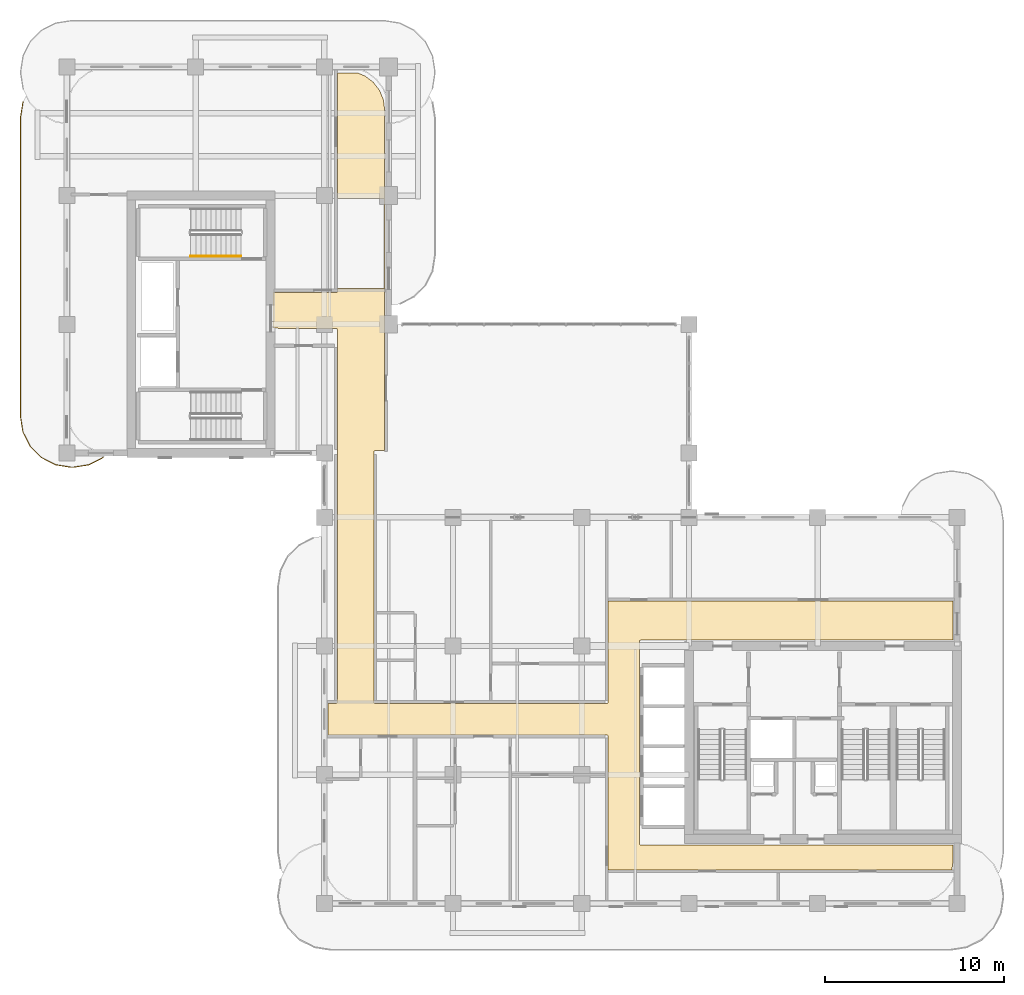
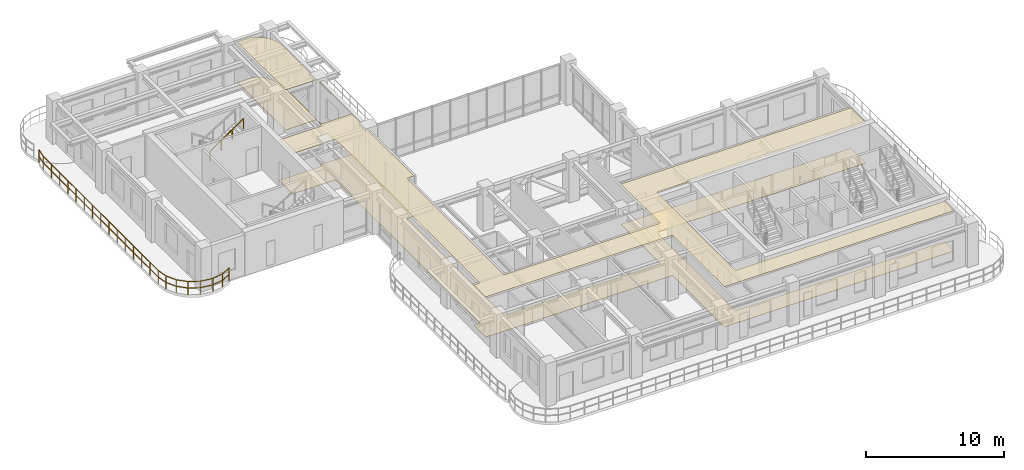
# One storey, part 18 of 19: 2 coverings, 2 railings.
"""IFC4 building model written with IfcOpenShell, lengths in metres."""

from ifc_helpers import new_model, si_unit, derived_unit, direction, frame, origin, origin_2d, place, context, subcontext, project, spatial, polyline, rectangle, outline, extrude, material, layer, layer_set, type_object, element, save


model = new_model("IFC4")

# Units and contexts
model_context = context("Model", 3, precision=1e-05, world=origin(), true_north=direction((0.0, 1.0)))
body_context = subcontext(model_context, "Body", "Model", "MODEL_VIEW")
ifc_project = project(units=[si_unit("LENGTHUNIT", "METRE"), si_unit("AREAUNIT", "SQUARE_METRE"), si_unit("VOLUMEUNIT", "CUBIC_METRE"), si_unit("PLANEANGLEUNIT", "RADIAN"), si_unit("MASSUNIT", "GRAM", prefix="KILO"), si_unit("THERMODYNAMICTEMPERATUREUNIT", "KELVIN"), si_unit("POWERUNIT", "WATT"), derived_unit("THERMALTRANSMITTANCEUNIT", [(si_unit("POWERUNIT", "WATT"), 1), (si_unit("AREAUNIT", "SQUARE_METRE"), -1), (si_unit("THERMODYNAMICTEMPERATUREUNIT", "KELVIN"), -1)])], contexts=[model_context])

# Site, building, storey
site_placement = place(None, origin())
site = spatial("IfcSite", under=ifc_project, at=site_placement, CompositionType="ELEMENT")
building_placement = place(site_placement, origin())
building = spatial("IfcBuilding", under=site, at=building_placement, Name="Zahravan Archway Hotel and Residences", CompositionType="ELEMENT")
storey_placement = place(building_placement, frame((0.0, 0.0, 201.89990234375)))
storey = spatial("IfcBuildingStorey", under=building, at=storey_placement, Name="L50", CompositionType="ELEMENT", Elevation=201.89990234375)

# Coverings
ifc_material_1 = material(Name="Perforated Acoustic Gypsum Ceiling")
ifc_layer_1 = layer(ifc_material_1, 0.02490234375, Name="Perforated Acoustic Gypsum Ceiling")
ifc_layer_set_1 = layer_set([ifc_layer_1], Name="Perforated Acoustic Gypsum Ceiling")
covering_type_1 = type_object("IfcCoveringType", Name="COV-CEIL-ACST", PredefinedType="CEILING", material=ifc_layer_set_1)
covering_1_placement = place(storey_placement, frame((0.0, 0.0, 3.5751953125)))
element("IfcCovering", 1, at=covering_1_placement, inside=storey, type_object=covering_type_1, Name="L50 Acoustic Corridor Ceiling", PredefinedType="CEILING", context=body_context, shape_type="SweptSolid", body=[
    extrude(outline(polyline([(32.09228515625, 14.7294921875), (32.04931640625, 14.7119140625), (32.0234375, 14.673095703125), (32.02001953125, 3.35009765625), (32.033447265625, 3.3056640625), (32.0693359375, 3.276123046875), (49.580078125, 3.27001953125), (49.580078125, 2.414306640625), (49.509521484375, 1.8798828125), (30.280029296875, 1.8798828125), (30.280029296875, 9.35009765625), (30.2666015625, 9.394287109375), (30.230712890625, 9.423828125), (14.6201171875, 9.429931640625), (14.6201171875, 11.18994140625), (15.050048828125, 11.18994140625), (15.094482421875, 11.20361328125), (15.123779296875, 11.239501953125), (15.1298828125, 32.10009765625), (15.116455078125, 32.144287109375), (15.08056640625, 32.173828125), (11.530029296875, 32.179931640625), (11.530029296875, 34.169921875), (15.050048828125, 34.169921875), (15.094482421875, 34.18359375), (15.123779296875, 34.219482421875), (15.1298828125, 34.39990234375), (17.719970703125, 34.39990234375), (17.75, 34.427001953125), (17.75, 39.419921875), (17.722900390625, 39.449951171875), (15.1298828125, 39.449951171875), (15.1298828125, 46.469970703125), (16.24560546875, 46.469970703125), (16.689208984375, 46.286376953125), (17.14013671875, 45.940185546875), (17.486328125, 45.489013671875), (17.703857421875, 44.9638671875), (17.77001953125, 44.46142578125), (17.77001953125, 25.330078125), (17.25, 25.330078125), (17.20556640625, 25.31640625), (17.176025390625, 25.280517578125), (17.169921875, 11.27001953125), (17.18359375, 11.2255859375), (17.219482421875, 11.196044921875), (30.199951171875, 11.18994140625), (30.244384765625, 11.20361328125), (30.27392578125, 11.239501953125), (30.280029296875, 16.919921875), (49.580078125, 16.919921875), (49.580078125, 14.72998046875), (32.10009765625, 14.72998046875), (32.09228515625, 14.7294921875)])), origin(), (0.0, 0.0, 1.0), 0.02490234375),
])
ifc_material_2 = material(Name="Honed Margalla Limestone & Mortar Bed", Category="masonry")
ifc_layer_2 = layer(ifc_material_2, 0.030029296875, Name="Honed Margalla Limestone & Mortar Bed", Category="masonry")
ifc_layer_set_2 = layer_set([ifc_layer_2], Name="Honed Margalla Limestone & Mortar Bed")
covering_type_2 = type_object("IfcCoveringType", Name="COV-FLR-STONE", PredefinedType="FLOORING", material=ifc_layer_set_2)
covering_2_placement = place(storey_placement, origin())
element("IfcCovering", 2, at=covering_2_placement, inside=storey, type_object=covering_type_2, Name="L50 Circulation Floor Finish", PredefinedType="FLOORING", context=body_context, shape_type="SweptSolid", body=[
    extrude(outline(polyline([(32.09228515625, 14.7294921875), (32.04931640625, 14.7119140625), (32.0234375, 14.673095703125), (32.02001953125, 3.35009765625), (32.033447265625, 3.3056640625), (32.0693359375, 3.276123046875), (49.580078125, 3.27001953125), (49.580078125, 2.414306640625), (49.509521484375, 1.8798828125), (30.280029296875, 1.8798828125), (30.280029296875, 9.35009765625), (30.2666015625, 9.394287109375), (30.230712890625, 9.423828125), (14.6201171875, 9.429931640625), (14.6201171875, 11.18994140625), (15.050048828125, 11.18994140625), (15.094482421875, 11.20361328125), (15.123779296875, 11.239501953125), (15.1298828125, 32.10009765625), (15.116455078125, 32.144287109375), (15.08056640625, 32.173828125), (11.530029296875, 32.179931640625), (11.530029296875, 34.169921875), (15.050048828125, 34.169921875), (15.094482421875, 34.18359375), (15.123779296875, 34.219482421875), (15.1298828125, 34.39990234375), (17.719970703125, 34.39990234375), (17.75, 34.427001953125), (17.75, 39.419921875), (17.722900390625, 39.449951171875), (15.1298828125, 39.449951171875), (15.1298828125, 46.469970703125), (16.24560546875, 46.469970703125), (16.689208984375, 46.286376953125), (17.14013671875, 45.940185546875), (17.486328125, 45.489013671875), (17.703857421875, 44.9638671875), (17.77001953125, 44.46142578125), (17.77001953125, 25.330078125), (17.25, 25.330078125), (17.20556640625, 25.31640625), (17.176025390625, 25.280517578125), (17.169921875, 11.27001953125), (17.18359375, 11.2255859375), (17.219482421875, 11.196044921875), (30.199951171875, 11.18994140625), (30.244384765625, 11.20361328125), (30.27392578125, 11.239501953125), (30.280029296875, 16.919921875), (49.580078125, 16.919921875), (49.580078125, 14.72998046875), (32.10009765625, 14.72998046875), (32.09228515625, 14.7294921875)])), origin(), (0.0, 0.0, 1.0), 0.030029296875),
])

# Railings
ifc_material_3 = material(Name="Bronze & Laminated Glass Balustrade", Category="glass")
railing_type_1 = type_object("IfcRailingType", Name="RL-BAL-1200", PredefinedType="BALUSTRADE", material=ifc_material_3)
railing_1_placement = place(storey_placement, frame((2.025146484375, 24.9443359375, 0.0)))
element("IfcRailing", 3, at=railing_1_placement, inside=storey, type_object=railing_type_1, Name="L50 Balustrade RL-SLB-BAL-L50-WB-1", PredefinedType="BALUSTRADE", context=body_context, shape_type="SweptSolid", body=[
    extrude(rectangle(XDim=0.048095703125, YDim=0.048095703125, at=origin_2d()), frame((0.0, 0.0, 1.17578125), z_axis=(-0.891006060389, -0.453991409995, 0.0), x_axis=(0.453991409995, -0.891006060389, 0.0)), (0.0, 0.0, 1.0), 0.8916015625),
    extrude(rectangle(XDim=0.048095703125, YDim=0.048095703125, at=origin_2d()), frame((0.0, 0.0, 0.60009765625), z_axis=(-0.891006060389, -0.453991409995, 0.0), x_axis=(0.453991409995, -0.891006060389, 0.0)), (0.0, 0.0, 1.0), 0.8916015625),
    extrude(rectangle(XDim=0.048095703125, YDim=0.048095703125, at=origin_2d()), frame((-0.79443359375, -0.40478515625, 1.17578125), z_axis=(-0.987658397726, -0.156623399917, 0.0), x_axis=(0.156623399917, -0.987658397726, 0.0)), (0.0, 0.0, 1.0), 0.8916015625),
    extrude(rectangle(XDim=0.048095703125, YDim=0.048095703125, at=origin_2d()), frame((-0.79443359375, -0.40478515625, 0.60009765625), z_axis=(-0.987658397726, -0.156623399917, 0.0), x_axis=(0.156623399917, -0.987658397726, 0.0)), (0.0, 0.0, 1.0), 0.8916015625),
    extrude(rectangle(XDim=0.048095703125, YDim=0.048095703125, at=origin_2d()), frame((-1.675048828125, -0.54443359375, 1.17578125), z_axis=(-1.0, 0.0, 0.0), x_axis=(0.0, -1.0, 0.0)), (0.0, 0.0, 1.0), 0.10009765625),
    extrude(rectangle(XDim=0.048095703125, YDim=0.048095703125, at=origin_2d()), frame((-1.675048828125, -0.54443359375, 0.60009765625), z_axis=(-1.0, 0.0, 0.0), x_axis=(0.0, -1.0, 0.0)), (0.0, 0.0, 1.0), 0.10009765625),
    extrude(rectangle(XDim=0.048095703125, YDim=0.048095703125, at=origin_2d()), frame((-1.775146484375, -0.54443359375, 1.17578125), z_axis=(-0.987658397726, 0.156623399917, 0.0), x_axis=(-0.156623399917, -0.987658397726, 0.0)), (0.0, 0.0, 1.0), 0.8916015625),
    extrude(rectangle(XDim=0.048095703125, YDim=0.048095703125, at=origin_2d()), frame((-1.775146484375, -0.54443359375, 0.60009765625), z_axis=(-0.987658397726, 0.156623399917, 0.0), x_axis=(-0.156623399917, -0.987658397726, 0.0)), (0.0, 0.0, 1.0), 0.8916015625),
    extrude(rectangle(XDim=0.048095703125, YDim=0.048095703125, at=origin_2d()), frame((-2.65576171875, -0.40478515625, 1.17578125), z_axis=(-0.891062476022, 0.45388067135, 0.0), x_axis=(-0.45388067135, -0.891062476022, 0.0)), (0.0, 0.0, 1.0), 0.891845703125),
    extrude(rectangle(XDim=0.048095703125, YDim=0.048095703125, at=origin_2d()), frame((-2.65576171875, -0.40478515625, 0.60009765625), z_axis=(-0.891062476022, 0.45388067135, 0.0), x_axis=(-0.45388067135, -0.891062476022, 0.0)), (0.0, 0.0, 1.0), 0.891845703125),
    extrude(rectangle(XDim=0.048095703125, YDim=0.048095703125, at=origin_2d()), frame((-3.450439453125, 0.0, 1.17578125), z_axis=(-0.707106781187, 0.707106781187, 0.0), x_axis=(-0.707106781187, -0.707106781187, 0.0)), (0.0, 0.0, 1.0), 0.891357421875),
    extrude(rectangle(XDim=0.048095703125, YDim=0.048095703125, at=origin_2d()), frame((-3.450439453125, 0.0, 0.60009765625), z_axis=(-0.707106781187, 0.707106781187, 0.0), x_axis=(-0.707106781187, -0.707106781187, 0.0)), (0.0, 0.0, 1.0), 0.891357421875),
    extrude(rectangle(XDim=0.048095703125, YDim=0.048095703125, at=origin_2d()), frame((-4.080810546875, 0.63037109375, 1.17578125), z_axis=(-0.45388067135, 0.891062476022, 0.0), x_axis=(-0.891062476022, -0.45388067135, 0.0)), (0.0, 0.0, 1.0), 0.891845703125),
    extrude(rectangle(XDim=0.048095703125, YDim=0.048095703125, at=origin_2d()), frame((-4.080810546875, 0.63037109375, 0.60009765625), z_axis=(-0.45388067135, 0.891062476022, 0.0), x_axis=(-0.891062476022, -0.45388067135, 0.0)), (0.0, 0.0, 1.0), 0.891845703125),
    extrude(rectangle(XDim=0.048095703125, YDim=0.048095703125, at=origin_2d()), frame((-4.485595703125, 1.425048828125, 1.17578125), z_axis=(-0.156623399917, 0.987658397726, 0.0), x_axis=(-0.987658397726, -0.156623399917, 0.0)), (0.0, 0.0, 1.0), 0.8916015625),
    extrude(rectangle(XDim=0.048095703125, YDim=0.048095703125, at=origin_2d()), frame((-4.485595703125, 1.425048828125, 0.60009765625), z_axis=(-0.156623399917, 0.987658397726, 0.0), x_axis=(-0.987658397726, -0.156623399917, 0.0)), (0.0, 0.0, 1.0), 0.8916015625),
    extrude(rectangle(XDim=0.048095703125, YDim=0.048095703125, at=origin_2d()), frame((-4.625244140625, 2.3056640625, 1.17578125), z_axis=(0.0, 1.0, 0.0), x_axis=(-1.0, 0.0, 0.0)), (0.0, 0.0, 1.0), 16.699951171875),
    extrude(rectangle(XDim=0.048095703125, YDim=0.048095703125, at=origin_2d()), frame((-4.625244140625, 2.3056640625, 0.60009765625), z_axis=(0.0, 1.0, 0.0), x_axis=(-1.0, 0.0, 0.0)), (0.0, 0.0, 1.0), 16.699951171875),
    extrude(rectangle(XDim=0.048095703125, YDim=0.048095703125, at=origin_2d()), frame((-4.625244140625, 19.005615234375, 1.17578125), z_axis=(0.156581054338, 0.98766511198, 0.0), x_axis=(-0.98766511198, 0.156581054338, 0.0)), (0.0, 0.0, 1.0), 0.891845703125),
    extrude(rectangle(XDim=0.048095703125, YDim=0.048095703125, at=origin_2d()), frame((-4.625244140625, 19.005615234375, 0.60009765625), z_axis=(0.156581054338, 0.98766511198, 0.0), x_axis=(-0.98766511198, 0.156581054338, 0.0)), (0.0, 0.0, 1.0), 0.891845703125),
    extrude(rectangle(XDim=0.0419921875, YDim=0.0419921875, at=origin_2d()), origin(), (0.0, 0.0, 1.0), 1.15185546875),
    extrude(rectangle(XDim=0.0419921875, YDim=0.0419921875, at=origin_2d()), frame((-0.79443359375, -0.40478515625, 0.0)), (0.0, 0.0, 1.0), 1.15185546875),
    extrude(rectangle(XDim=0.0419921875, YDim=0.0419921875, at=origin_2d()), frame((-1.675048828125, -0.54443359375, 0.0)), (0.0, 0.0, 1.0), 1.15185546875),
    extrude(rectangle(XDim=0.0419921875, YDim=0.0419921875, at=origin_2d()), frame((-2.65576171875, -0.40478515625, 0.0)), (0.0, 0.0, 1.0), 1.15185546875),
    extrude(rectangle(XDim=0.0419921875, YDim=0.0419921875, at=origin_2d()), frame((-3.450439453125, 0.0, 0.0)), (0.0, 0.0, 1.0), 1.15185546875),
    extrude(rectangle(XDim=0.0419921875, YDim=0.0419921875, at=origin_2d()), frame((-4.080810546875, 0.63037109375, 0.0)), (0.0, 0.0, 1.0), 1.15185546875),
    extrude(rectangle(XDim=0.0419921875, YDim=0.0419921875, at=origin_2d()), frame((-4.485595703125, 1.425048828125, 0.0)), (0.0, 0.0, 1.0), 1.15185546875),
    extrude(rectangle(XDim=0.0419921875, YDim=0.0419921875, at=origin_2d()), frame((-4.625244140625, 2.3056640625, 0.0)), (0.0, 0.0, 1.0), 1.15185546875),
    extrude(rectangle(XDim=0.0419921875, YDim=0.0419921875, at=origin_2d()), frame((-4.625244140625, 3.49853515625, 0.0)), (0.0, 0.0, 1.0), 1.15185546875),
    extrude(rectangle(XDim=0.0419921875, YDim=0.0419921875, at=origin_2d()), frame((-4.625244140625, 4.69140625, 0.0)), (0.0, 0.0, 1.0), 1.15185546875),
    extrude(rectangle(XDim=0.0419921875, YDim=0.0419921875, at=origin_2d()), frame((-4.625244140625, 5.88427734375, 0.0)), (0.0, 0.0, 1.0), 1.15185546875),
    extrude(rectangle(XDim=0.0419921875, YDim=0.0419921875, at=origin_2d()), frame((-4.625244140625, 7.0771484375, 0.0)), (0.0, 0.0, 1.0), 1.15185546875),
    extrude(rectangle(XDim=0.0419921875, YDim=0.0419921875, at=origin_2d()), frame((-4.625244140625, 8.27001953125, 0.0)), (0.0, 0.0, 1.0), 1.15185546875),
    extrude(rectangle(XDim=0.0419921875, YDim=0.0419921875, at=origin_2d()), frame((-4.625244140625, 9.462890625, 0.0)), (0.0, 0.0, 1.0), 1.15185546875),
    extrude(rectangle(XDim=0.0419921875, YDim=0.0419921875, at=origin_2d()), frame((-4.625244140625, 10.65576171875, 0.0)), (0.0, 0.0, 1.0), 1.15185546875),
    extrude(rectangle(XDim=0.0419921875, YDim=0.0419921875, at=origin_2d()), frame((-4.625244140625, 11.848388671875, 0.0)), (0.0, 0.0, 1.0), 1.15185546875),
    extrude(rectangle(XDim=0.0419921875, YDim=0.0419921875, at=origin_2d()), frame((-4.625244140625, 13.041259765625, 0.0)), (0.0, 0.0, 1.0), 1.15185546875),
    extrude(rectangle(XDim=0.0419921875, YDim=0.0419921875, at=origin_2d()), frame((-4.625244140625, 14.234130859375, 0.0)), (0.0, 0.0, 1.0), 1.15185546875),
    extrude(rectangle(XDim=0.0419921875, YDim=0.0419921875, at=origin_2d()), frame((-4.625244140625, 15.427001953125, 0.0)), (0.0, 0.0, 1.0), 1.15185546875),
    extrude(rectangle(XDim=0.0419921875, YDim=0.0419921875, at=origin_2d()), frame((-4.625244140625, 16.619873046875, 0.0)), (0.0, 0.0, 1.0), 1.15185546875),
    extrude(rectangle(XDim=0.0419921875, YDim=0.0419921875, at=origin_2d()), frame((-4.625244140625, 17.812744140625, 0.0)), (0.0, 0.0, 1.0), 1.15185546875),
    extrude(rectangle(XDim=0.0419921875, YDim=0.0419921875, at=origin_2d()), frame((-4.625244140625, 19.005615234375, 0.0)), (0.0, 0.0, 1.0), 1.15185546875),
    extrude(rectangle(XDim=0.0419921875, YDim=0.0419921875, at=origin_2d()), frame((-4.485595703125, 19.886474609375, 0.0)), (0.0, 0.0, 1.0), 1.15185546875),
])
ifc_material_4 = material(Name="Brushed Stainless Steel", Category="steel")
railing_type_2 = type_object("IfcRailingType", Name="RL-STH-900", PredefinedType="HANDRAIL", material=ifc_material_4)
railing_2_placement = place(storey_placement, frame((6.929931640625, 36.2099609375, 2.10009765625)))
element("IfcRailing", 4, at=railing_2_placement, inside=storey, type_object=railing_type_2, Name="L50 ST-B2 stair handrail 2", PredefinedType="HANDRAIL", context=body_context, shape_type="SweptSolid", body=[
    extrude(rectangle(XDim=0.048095703125, YDim=0.048095703125, at=origin_2d()), frame((0.0, 0.0, 0.8759765625), z_axis=(0.824039827795, 0.0, 0.566531872191), x_axis=(0.0, 1.0, 0.0)), (0.0, 0.0, 1.0), 3.39794921875),
    extrude(rectangle(XDim=0.0419921875, YDim=0.0419921875, at=origin_2d()), origin(), (0.0, 0.0, 1.0), 0.851806640625),
    extrude(rectangle(XDim=0.0419921875, YDim=0.0419921875, at=origin_2d()), frame((0.933349609375, 0.0, 0.6416015625)), (0.0, 0.0, 1.0), 0.851806640625),
    extrude(rectangle(XDim=0.0419921875, YDim=0.0419921875, at=origin_2d()), frame((1.86669921875, 0.0, 1.283447265625)), (0.0, 0.0, 1.0), 0.851806640625),
    extrude(rectangle(XDim=0.0419921875, YDim=0.0419921875, at=origin_2d()), frame((2.800048828125, 0.0, 1.925048828125)), (0.0, 0.0, 1.0), 0.851806640625),
])

save(model, "model.ifc")
